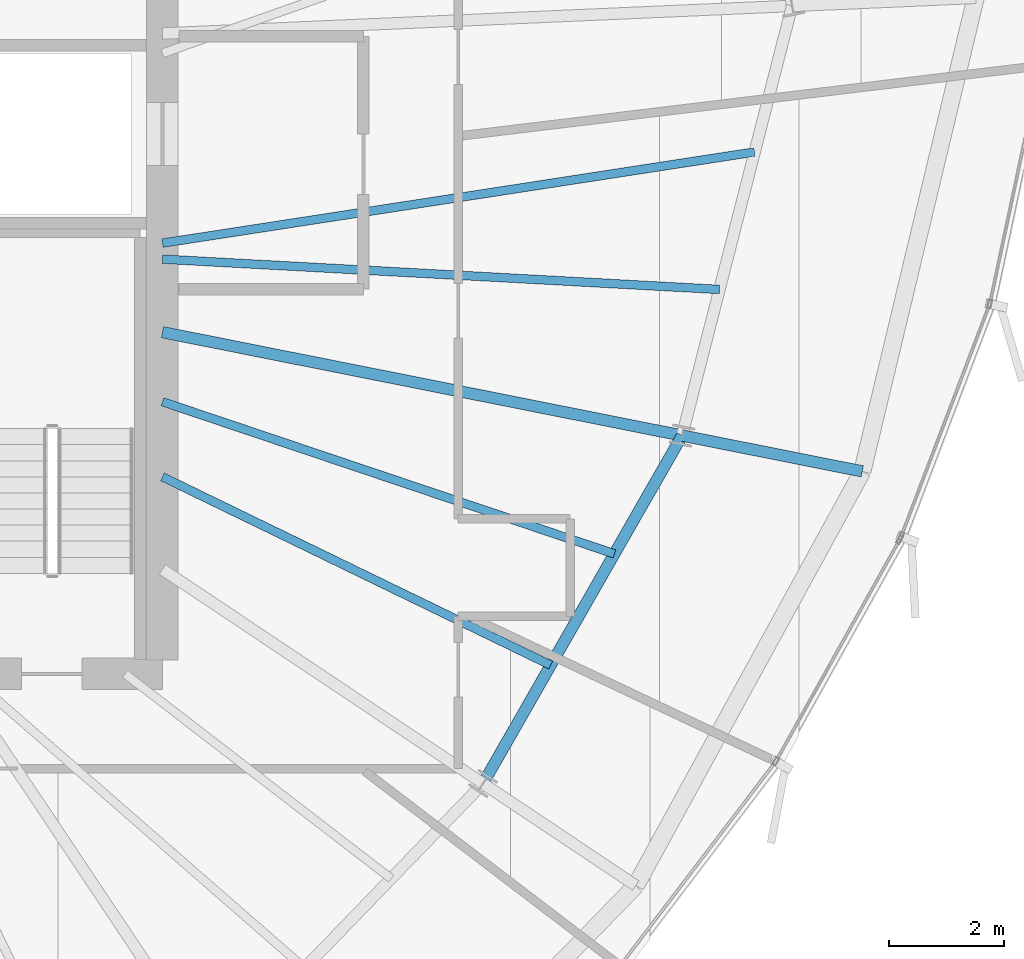
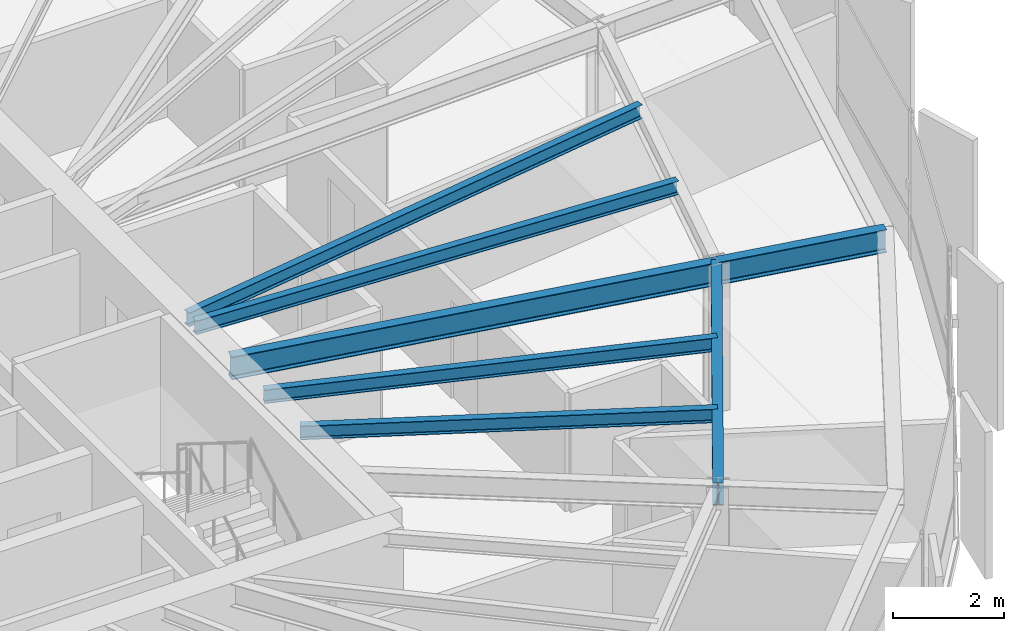
# One storey, part 17 of 36: 7 beams.
"""IFC4 building model written with IfcOpenShell, lengths in metres."""

from ifc_helpers import new_model, si_unit, direction, frame, origin, origin_2d, place, context, subcontext, project, spatial, i_section, extrude, source, transform, mapped, material, material_profile, profile_set, type_object, element, save


model = new_model("IFC4")

# Units and contexts
model_context = context("Model", 3, precision=1e-05, world=origin(), true_north=direction((0.0, 1.0)))
body_context = subcontext(model_context, "Body", "Model", "MODEL_VIEW")
ifc_project = project(units=[si_unit("LENGTHUNIT", "METRE"), si_unit("AREAUNIT", "SQUARE_METRE"), si_unit("VOLUMEUNIT", "CUBIC_METRE"), si_unit("PLANEANGLEUNIT", "RADIAN"), si_unit("MASSUNIT", "GRAM", prefix="KILO"), si_unit("THERMODYNAMICTEMPERATUREUNIT", "KELVIN")], contexts=[model_context])

# Site, building, storey
site_placement = place(None, origin())
site = spatial("IfcSite", under=ifc_project, at=site_placement, CompositionType="ELEMENT")
building_placement = place(site_placement, origin())
building = spatial("IfcBuilding", under=site, at=building_placement, Name="Kethvar Cultural Tower", CompositionType="ELEMENT")
storey_placement = place(building_placement, frame((0.0, 0.0, 197.39990234375)))
storey = spatial("IfcBuildingStorey", under=building, at=storey_placement, Name="L51", CompositionType="ELEMENT", Elevation=197.39990234375)

# Beams
ifc_material = material(Name="Steel S355J2", Category="steel")
ifc_material_profile_1 = material_profile(ifc_material, i_section(OverallWidth=0.199951171875, OverallDepth=0.5, WebThickness=0.01025390625, FlangeThickness=0.01611328125, FilletRadius=0.02099609375, at=origin_2d()), Name="Steel S355J2 — IPE500")
ifc_profile_set_1 = profile_set([ifc_material_profile_1], Name="Steel S355J2 — IPE500")
beam_type_1 = type_object("IfcBeamType", Name="BM-IPE500", PredefinedType="BEAM", material=ifc_profile_set_1)
shared_shape_1 = source(origin(), body_context, "Body", "SweptSolid", [
    extrude(i_section(OverallWidth=0.199951171875, OverallDepth=0.5, WebThickness=0.01025390625, FlangeThickness=0.01611328125, FilletRadius=0.02099609375, at=origin_2d()), origin(), (0.0, 0.0, 1.0), 3.199951171875),
])
beam_1_placement = place(storey_placement, frame((64.648681640625, 24.249755859375, 3.008056640625), z_axis=(0.980785550224, -0.195088965533, 0.0), x_axis=(0.195088965533, 0.980785550224, 0.0)))
element("IfcBeam", 1, at=beam_1_placement, inside=storey, type_object=beam_type_1, Name="L51 Perimeter Cantilever Beam RC-16", PredefinedType="BEAM", context=body_context, shape_type="MappedRepresentation", body=[
    mapped(shared_shape_1, transform((0.0, 0.0, 0.0), scale=1.0)),
])
shared_shape_2 = source(origin(), body_context, "Body", "SweptSolid", [
    extrude(i_section(OverallWidth=0.199951171875, OverallDepth=0.5, WebThickness=0.01025390625, FlangeThickness=0.01611328125, FilletRadius=0.02099609375, at=origin_2d()), origin(), (0.0, 0.0, 1.0), 9.225830078125),
])
beam_2_placement = place(storey_placement, frame((55.60009765625, 26.049560546875, 3.008056640625), z_axis=(0.980786744069, -0.195082963529, 0.0), x_axis=(0.195082963529, 0.980786744069, 0.0)))
element("IfcBeam", 2, at=beam_2_placement, inside=storey, type_object=beam_type_1, Name="L51 Primary Radial Beam RB-16", PredefinedType="BEAM", context=body_context, shape_type="MappedRepresentation", body=[
    mapped(shared_shape_2, transform((0.0, 0.0, 0.0), scale=1.0)),
])
shared_shape_3 = source(origin(), body_context, "Body", "SweptSolid", [
    extrude(i_section(OverallWidth=0.199951171875, OverallDepth=0.5, WebThickness=0.01025390625, FlangeThickness=0.01611328125, FilletRadius=0.02099609375, at=origin_2d()), origin(), (0.0, 0.0, 1.0), 6.98095703125),
])
beam_3_placement = place(storey_placement, frame((61.1826171875, 18.18994140625, 3.008056640625), z_axis=(0.496496686118, 0.868038617041, 0.0), x_axis=(-0.868038617041, 0.496496686118, 0.0)))
element("IfcBeam", 3, at=beam_3_placement, inside=storey, type_object=beam_type_1, Name="L51 Column Ring Tie Beam CR-15", PredefinedType="BEAM", context=body_context, shape_type="MappedRepresentation", body=[
    mapped(shared_shape_3, transform((0.0, 0.0, 0.0), scale=1.0)),
])
ifc_material_profile_2 = material_profile(ifc_material, i_section(OverallWidth=0.14990234375, OverallDepth=0.300048828125, WebThickness=0.007080078125, FlangeThickness=0.0107421875, FilletRadius=0.014892578125, at=origin_2d()), Name="Steel S355J2 — IPE300")
ifc_profile_set_2 = profile_set([ifc_material_profile_2], Name="Steel S355J2 — IPE300")
beam_type_2 = type_object("IfcBeamType", Name="BM-J300", PredefinedType="JOIST", material=ifc_profile_set_2)
shared_shape_4 = source(origin(), body_context, "Body", "SweptSolid", [
    extrude(i_section(OverallWidth=0.14990234375, OverallDepth=0.300048828125, WebThickness=0.007080078125, FlangeThickness=0.0107421875, FilletRadius=0.014892578125, at=origin_2d()), origin(), (0.0, 0.0, 1.0), 7.5146484375),
])
beam_4_placement = place(storey_placement, frame((55.60009765625, 23.530517578125, 3.108154296875), z_axis=(0.899698132091, -0.436512624229, 0.0), x_axis=(0.436512624229, 0.899698132091, 0.0)))
element("IfcBeam", 4, at=beam_4_placement, inside=storey, type_object=beam_type_2, Name="L51 Composite Floor Joist J-15A", PredefinedType="JOIST", context=body_context, shape_type="MappedRepresentation", body=[
    mapped(shared_shape_4, transform((0.0, 0.0, 0.0), scale=1.0)),
])
shared_shape_5 = source(origin(), body_context, "Body", "SweptSolid", [
    extrude(i_section(OverallWidth=0.14990234375, OverallDepth=0.300048828125, WebThickness=0.007080078125, FlangeThickness=0.0107421875, FilletRadius=0.014892578125, at=origin_2d()), origin(), (0.0, 0.0, 1.0), 8.303955078125),
])
beam_5_placement = place(storey_placement, frame((55.60009765625, 24.838134765625, 3.108154296875), z_axis=(0.94776496661, -0.318969540971, 0.0), x_axis=(0.318969540971, 0.94776496661, 0.0)))
element("IfcBeam", 5, at=beam_5_placement, inside=storey, type_object=beam_type_2, Name="L51 Composite Floor Joist J-15B", PredefinedType="JOIST", context=body_context, shape_type="MappedRepresentation", body=[
    mapped(shared_shape_5, transform((0.0, 0.0, 0.0), scale=1.0)),
])
shared_shape_6 = source(origin(), body_context, "Body", "SweptSolid", [
    extrude(i_section(OverallWidth=0.14990234375, OverallDepth=0.300048828125, WebThickness=0.007080078125, FlangeThickness=0.0107421875, FilletRadius=0.014892578125, at=origin_2d()), origin(), (0.0, 0.0, 1.0), 9.714111328125),
])
beam_6_placement = place(storey_placement, frame((55.60009765625, 27.3212890625, 3.108154296875), z_axis=(0.998522658081, -0.054336923906, 0.0), x_axis=(0.054336923906, 0.998522658081, 0.0)))
element("IfcBeam", 6, at=beam_6_placement, inside=storey, type_object=beam_type_2, Name="L51 Composite Floor Joist J-16A", PredefinedType="JOIST", context=body_context, shape_type="MappedRepresentation", body=[
    mapped(shared_shape_6, transform((0.0, 0.0, 0.0), scale=1.0)),
])
shared_shape_7 = source(origin(), body_context, "Body", "SweptSolid", [
    extrude(i_section(OverallWidth=0.14990234375, OverallDepth=0.300048828125, WebThickness=0.007080078125, FlangeThickness=0.0107421875, FilletRadius=0.014892578125, at=origin_2d()), origin(), (0.0, 0.0, 1.0), 10.43408203125),
])
beam_7_placement = place(storey_placement, frame((55.60009765625, 27.60009765625, 3.108154296875), z_axis=(0.988359792691, 0.152134546343, 0.0), x_axis=(-0.152134546343, 0.988359792691, 0.0)))
element("IfcBeam", 7, at=beam_7_placement, inside=storey, type_object=beam_type_2, Name="L51 Composite Floor Joist J-16B", PredefinedType="JOIST", context=body_context, shape_type="MappedRepresentation", body=[
    mapped(shared_shape_7, transform((0.0, 0.0, 0.0), scale=1.0)),
])

save(model, "model.ifc")
